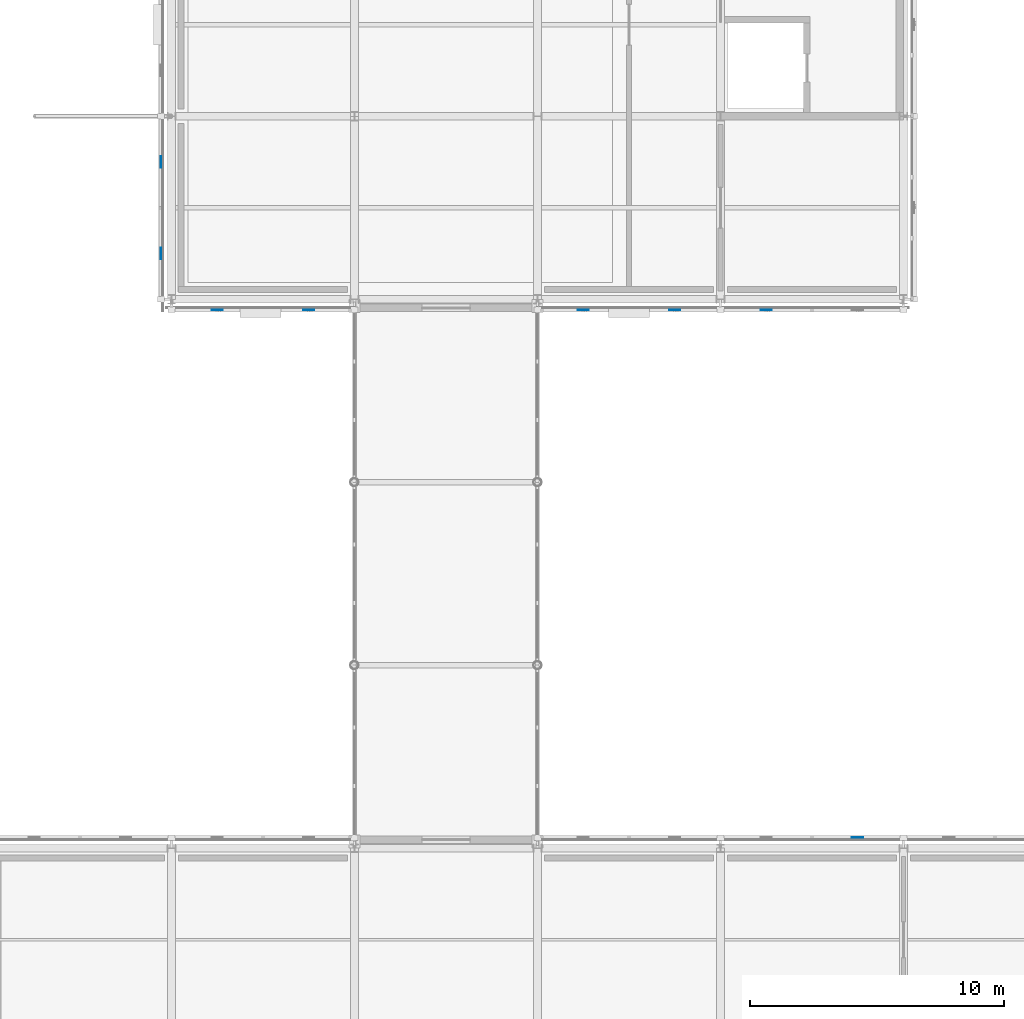
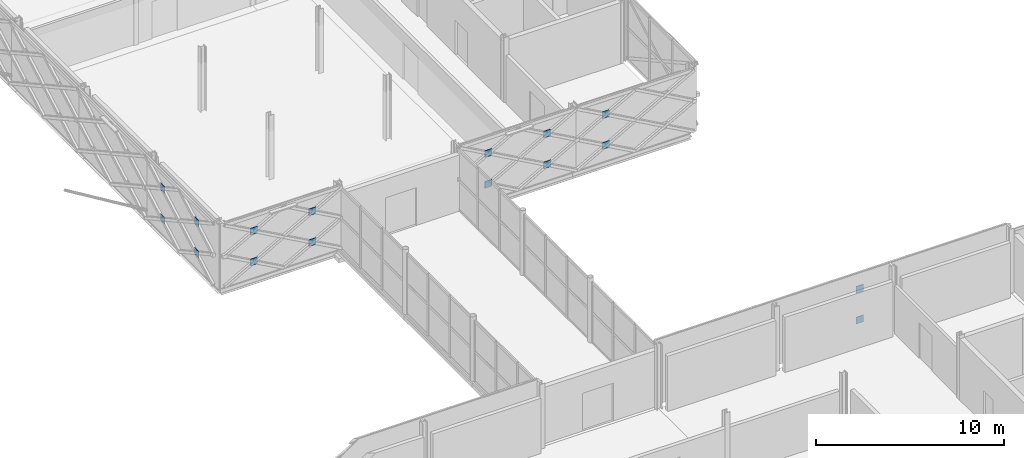
# One storey, part 100 of 146: 16 plates.
"""IFC4 building model written with IfcOpenShell, lengths in metres."""

from ifc_helpers import new_model, si_unit, direction, frame, origin, origin_2d, place, context, subcontext, project, spatial, rectangle, extrude, material, layer, layer_set, type_object, element, save


model = new_model("IFC4")

# Units and contexts
model_context = context("Model", 3, precision=1e-05, world=origin(), true_north=direction((0.0, 1.0)))
body_context = subcontext(model_context, "Body", "Model", "MODEL_VIEW")
ifc_project = project(units=[si_unit("LENGTHUNIT", "METRE"), si_unit("AREAUNIT", "SQUARE_METRE"), si_unit("VOLUMEUNIT", "CUBIC_METRE"), si_unit("PLANEANGLEUNIT", "RADIAN"), si_unit("MASSUNIT", "GRAM", prefix="KILO")], contexts=[model_context])

# Site, building, storey
site_placement = place(None, origin())
site = spatial("IfcSite", under=ifc_project, at=site_placement, CompositionType="ELEMENT")
building_placement = place(site_placement, origin())
building = spatial("IfcBuilding", under=site, at=building_placement, Name="Zlatovets Crest Museum", CompositionType="ELEMENT")
storey_placement = place(building_placement, frame((0.0, 0.0, 4.5)))
storey = spatial("IfcBuildingStorey", under=building, at=storey_placement, Name="L01", CompositionType="ELEMENT", Elevation=4.5)

# Plates
ifc_material = material(Name="Structural steel S355J2", Category="steel")
ifc_layer = layer(ifc_material, 0.02001953125)
ifc_layer_set = layer_set([ifc_layer], Name="Structural steel S355J2")
plate_type = type_object("IfcPlateType", Name="Gusset_GP-04", PredefinedType="USERDEFINED", material=ifc_layer_set)
for number, where, z_axis, x_axis, name in (
    (1, (34.199951171875, 29.219970703125, 0.875), (0.0, 0.0, 1.0), (1.0, 0.0, 0.0), "X-Brace Crossing Node Gusset Plate GP-04"),
    (2, (34.199951171875, 29.219970703125, 2.875), (0.0, 0.0, 1.0), (1.0, 0.0, 0.0), "X-Brace Crossing Node Gusset Plate GP-04"),
    (3, (9.0, 49.97998046875, 0.875), (0.0, 0.0, 1.0), (1.0, 0.0, 0.0), "X-Brace Crossing Node Gusset Plate GP-04"),
    (4, (12.60009765625, 49.97998046875, 0.875), (0.0, 0.0, 1.0), (1.0, 0.0, 0.0), "X-Brace Crossing Node Gusset Plate GP-04"),
    (5, (9.0, 49.97998046875, 2.875), (0.0, 0.0, 1.0), (1.0, 0.0, 0.0), "X-Brace Crossing Node Gusset Plate GP-04"),
    (6, (12.60009765625, 49.97998046875, 2.875), (0.0, 0.0, 1.0), (1.0, 0.0, 0.0), "X-Brace Crossing Node Gusset Plate GP-04"),
    (7, (23.39990234375, 49.97998046875, 0.875), (0.0, 0.0, 1.0), (1.0, 0.0, 0.0), "X-Brace Crossing Node Gusset Plate GP-04"),
    (8, (27.0, 49.97998046875, 0.875), (0.0, 0.0, 1.0), (1.0, 0.0, 0.0), "X-Brace Crossing Node Gusset Plate GP-04"),
    (9, (23.39990234375, 49.97998046875, 2.875), (0.0, 0.0, 1.0), (1.0, 0.0, 0.0), "X-Brace Crossing Node Gusset Plate GP-04"),
    (10, (27.0, 49.97998046875, 2.875), (0.0, 0.0, 1.0), (1.0, 0.0, 0.0), "X-Brace Crossing Node Gusset Plate GP-04"),
    (11, (30.60009765625, 49.97998046875, 0.875), (0.0, 0.0, 1.0), (1.0, 0.0, 0.0), "X-Brace Crossing Node Gusset Plate GP-04"),
    (12, (30.60009765625, 49.97998046875, 2.875), (0.0, 0.0, 1.0), (1.0, 0.0, 0.0), "X-Brace Crossing Node Gusset Plate GP-04"),
):
    element("IfcPlate", number, at=place(storey_placement, frame(where, z_axis=z_axis, x_axis=x_axis)), inside=storey, type_object=plate_type, Name=name, ObjectType="GUSSET", PredefinedType="USERDEFINED", context=body_context, shape_type="SweptSolid", body=[
        extrude(rectangle(XDim=0.449951171875, YDim=0.02001953125, at=origin_2d()), origin(), (0.0, 0.0, 1.0), 0.449951171875),
    ])
for number, where, z_axis, x_axis, name in (
    (13, (6.780029296875, 55.800048828125, 0.875), (0.0, 0.0, 1.0), (1.0, 0.0, 0.0), "X-Brace Crossing Node Gusset Plate GP-04"),
    (14, (6.780029296875, 52.199951171875, 0.875), (0.0, 0.0, 1.0), (1.0, 0.0, 0.0), "X-Brace Crossing Node Gusset Plate GP-04"),
    (15, (6.780029296875, 55.800048828125, 2.875), (0.0, 0.0, 1.0), (1.0, 0.0, 0.0), "X-Brace Crossing Node Gusset Plate GP-04"),
    (16, (6.780029296875, 52.199951171875, 2.875), (0.0, 0.0, 1.0), (1.0, 0.0, 0.0), "X-Brace Crossing Node Gusset Plate GP-04"),
):
    element("IfcPlate", number, at=place(storey_placement, frame(where, z_axis=z_axis, x_axis=x_axis)), inside=storey, type_object=plate_type, Name=name, ObjectType="GUSSET", PredefinedType="USERDEFINED", context=body_context, shape_type="SweptSolid", body=[
        extrude(rectangle(XDim=0.02001953125, YDim=0.449951171875, at=origin_2d()), origin(), (0.0, 0.0, 1.0), 0.449951171875),
    ])

save(model, "model.ifc")
